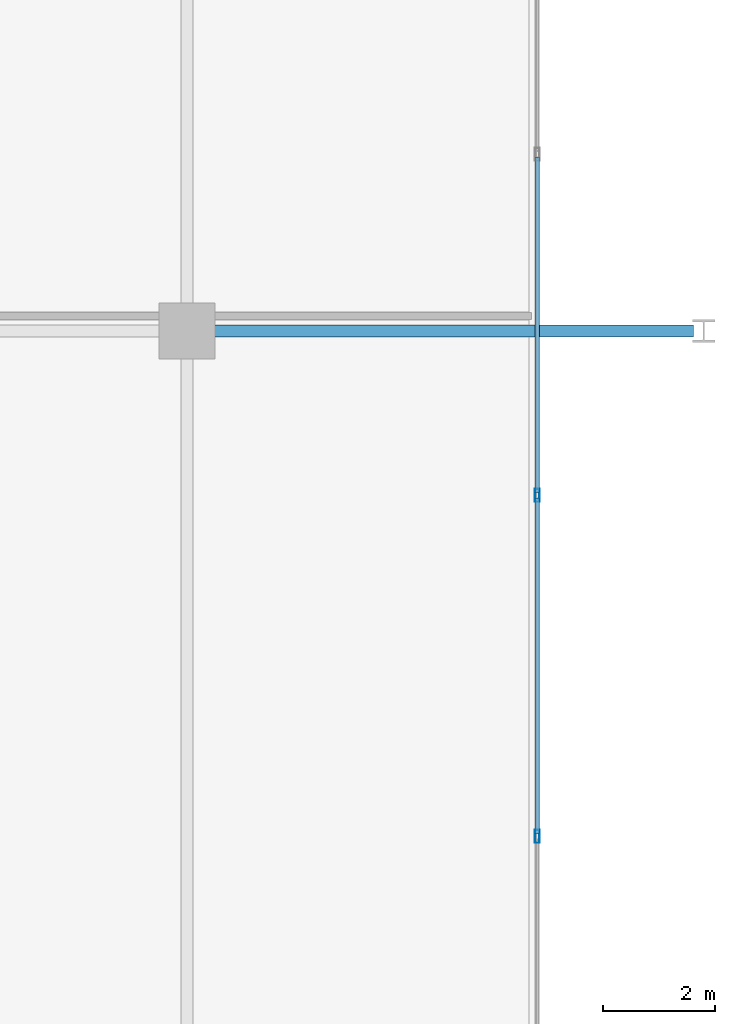
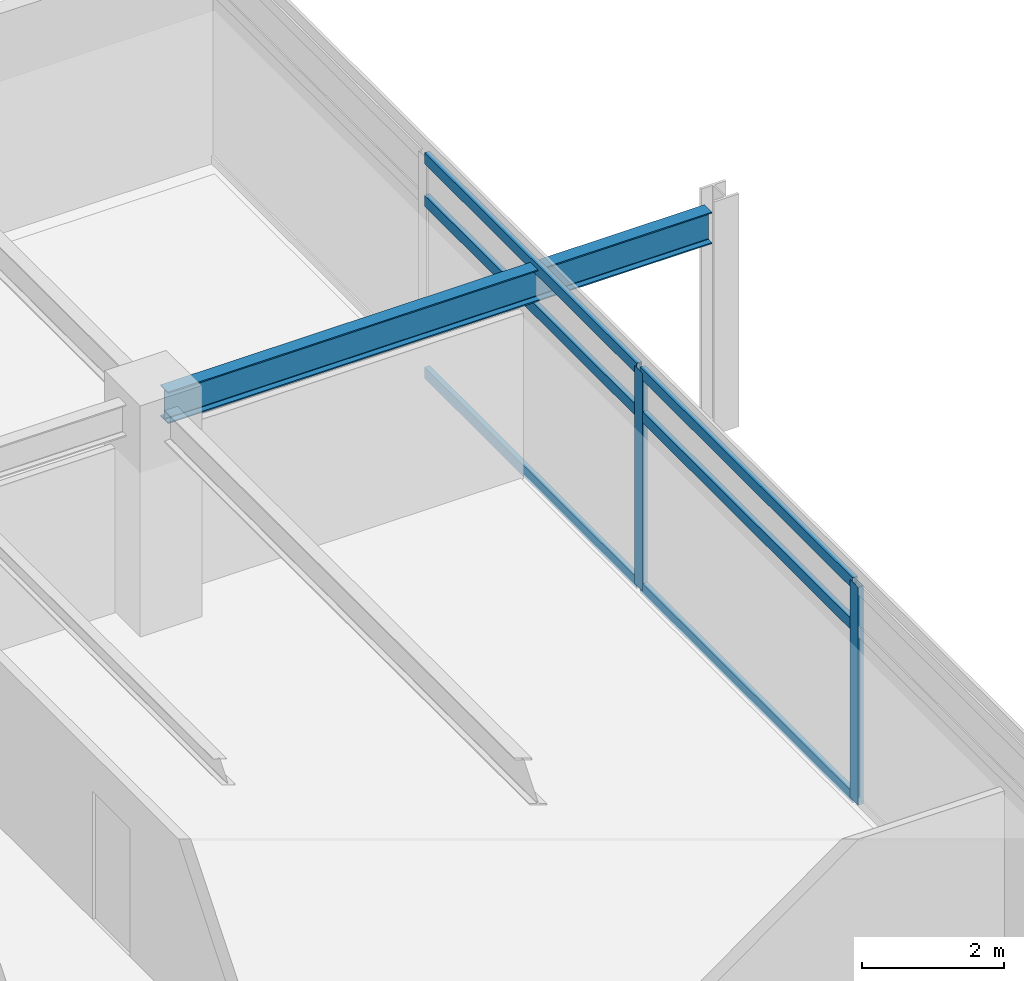
# One storey, part 9 of 20: 8 members, 1 beam, 1 element without a shape of its own.
"""IFC4 building model written with IfcOpenShell, lengths in metres."""

from ifc_helpers import new_model, si_unit, direction, frame, origin, origin_2d, place, context, subcontext, project, spatial, hollow_rectangle, i_section, extrude, material, material_profile, profile_set, type_object, element, aggregate, save


model = new_model("IFC4")

# Units and contexts
model_context = context("Model", 3, precision=1e-05, world=origin(), true_north=direction((0.0, 1.0)))
body_context = subcontext(model_context, "Body", "Model", "MODEL_VIEW")
ifc_project = project(units=[si_unit("LENGTHUNIT", "METRE"), si_unit("AREAUNIT", "SQUARE_METRE"), si_unit("VOLUMEUNIT", "CUBIC_METRE"), si_unit("PLANEANGLEUNIT", "RADIAN"), si_unit("MASSUNIT", "GRAM", prefix="KILO")], contexts=[model_context])

# Site, building, storey
site_placement = place(None, origin())
site = spatial("IfcSite", under=ifc_project, at=site_placement, CompositionType="ELEMENT")
building_placement = place(site_placement, origin())
building = spatial("IfcBuilding", under=site, at=building_placement, Name="Kovane Verandah Tower", CompositionType="ELEMENT")
storey_placement = place(building_placement, frame((0.0, 0.0, 330.800048828125)))
storey = spatial("IfcBuildingStorey", under=building, at=storey_placement, Name="L77", CompositionType="ELEMENT", Elevation=330.800048828125)

# Beam
ifc_material_1 = material(Name="Steel S355", Category="steel")
ifc_material_profile_1 = material_profile(ifc_material_1, i_section(OverallWidth=0.2119140625, OverallDepth=0.54443359375, WebThickness=0.0126953125, FlangeThickness=0.021240234375, FilletRadius=0.0126953125, at=origin_2d()), Name="UB533x210x122")
ifc_profile_set_1 = profile_set([ifc_material_profile_1], Name="Steel S355")
beam_type = type_object("IfcBeamType", Name="BM-UB533x122", PredefinedType="BEAM", material=ifc_profile_set_1)
beam_placement = place(storey_placement, frame((58.580078125, 36.5, 3.48779296875), z_axis=(1.0, 0.0, 0.0), x_axis=(0.0, 1.0, 0.0)))
element("IfcBeam", 1, at=beam_placement, inside=storey, type_object=beam_type, Name="L77 Primary Tower Girder G-VE2", PredefinedType="BEAM", context=body_context, shape_type="SweptSolid", body=[
    extrude(i_section(OverallWidth=0.2119140625, OverallDepth=0.54443359375, WebThickness=0.0126953125, FlangeThickness=0.021240234375, FilletRadius=0.0126953125, at=origin_2d()), origin(), (0.0, 0.0, 1.0), 8.83984375),
])

# Curtain wall, members
ifc_material_2 = material(Name="Champagne Anodised Aluminium Frame with Low-E Clear Laminated Glass", Category="aluminium")
curtain_wall_type = type_object("IfcCurtainWallType", Name="CW-SYS-05-HIGH", PredefinedType="NOTDEFINED", material=ifc_material_2)
curtain_wall_placement = place(storey_placement, origin())
curtain_wall = element("IfcCurtainWall", 2, at=curtain_wall_placement, inside=storey, type_object=curtain_wall_type, Name="L77 E Unitised Curtain Wall", PredefinedType="NOTDEFINED")
ifc_material_3 = material(Name="Champagne Anodised Aluminium 6063-T6", Category="aluminium")
ifc_material_profile_2 = material_profile(ifc_material_3, hollow_rectangle(XDim=0.0849609375, YDim=0.22998046875, WallThickness=0.00390625, at=origin_2d()), Name="AL85x230x4")
ifc_profile_set_2 = profile_set([ifc_material_profile_2], Name="Champagne Anodised Aluminium 6063-T6")
member_type_1 = type_object("IfcMemberType", Name="CW-MUL-85x230", PredefinedType="MULLION", material=ifc_profile_set_2)
member_1_placement = place(storey_placement, frame((64.636474609375, 27.5, 0.02001953125), z_axis=(0.0, 0.0, 1.0), x_axis=(1.0, 0.0, 0.0)))
member_1 = element("IfcMember", 3, at=member_1_placement, type_object=member_type_1, Name="L77 E Unitised Curtain Wall Mullion 4", PredefinedType="MULLION", context=body_context, shape_type="SweptSolid", body=[
    extrude(hollow_rectangle(XDim=0.0849609375, YDim=0.22998046875, WallThickness=0.00390625, at=origin_2d()), origin(), (0.0, 0.0, 1.0), 3.744873046875),
])
member_2_placement = place(storey_placement, frame((64.636474609375, 33.57275390625, 0.02001953125), z_axis=(0.0, 0.0, 1.0), x_axis=(1.0, 0.0, 0.0)))
member_2 = element("IfcMember", 4, at=member_2_placement, type_object=member_type_1, Name="L77 E Unitised Curtain Wall Mullion 5", PredefinedType="MULLION", context=body_context, shape_type="SweptSolid", body=[
    extrude(hollow_rectangle(XDim=0.0849609375, YDim=0.22998046875, WallThickness=0.00390625, at=origin_2d()), origin(), (0.0, 0.0, 1.0), 3.744873046875),
])
ifc_material_profile_3 = material_profile(ifc_material_3, hollow_rectangle(XDim=0.0849609375, YDim=0.18994140625, WallThickness=0.00390625, at=origin_2d()), Name="AL85x190x4")
ifc_profile_set_3 = profile_set([ifc_material_profile_3], Name="Champagne Anodised Aluminium 6063-T6")
member_type_2 = type_object("IfcMemberType", Name="CW-TRN-85x190", PredefinedType="USERDEFINED", material=ifc_profile_set_3)
member_3_placement = place(storey_placement, frame((64.636474609375, 27.550048828125, 0.050048828125), z_axis=(0.0, 1.0, 0.0), x_axis=(-1.0, 0.0, 0.0)))
member_3 = element("IfcMember", 5, at=member_3_placement, type_object=member_type_2, Name="L77 E Unitised Curtain Wall Transom TB Bay 4", ObjectType="TRANSOM", PredefinedType="USERDEFINED", context=body_context, shape_type="SweptSolid", body=[
    extrude(hollow_rectangle(XDim=0.0849609375, YDim=0.18994140625, WallThickness=0.00390625, at=origin_2d()), origin(), (0.0, 0.0, 1.0), 5.97265625),
])
member_4_placement = place(storey_placement, frame((64.636474609375, 27.550048828125, 3.0048828125), z_axis=(0.0, 1.0, 0.0), x_axis=(-1.0, 0.0, 0.0)))
member_4 = element("IfcMember", 6, at=member_4_placement, type_object=member_type_2, Name="L77 E Unitised Curtain Wall Transom TM Bay 4", ObjectType="TRANSOM", PredefinedType="USERDEFINED", context=body_context, shape_type="SweptSolid", body=[
    extrude(hollow_rectangle(XDim=0.0849609375, YDim=0.18994140625, WallThickness=0.00390625, at=origin_2d()), origin(), (0.0, 0.0, 1.0), 5.97265625),
])
member_5_placement = place(storey_placement, frame((64.636474609375, 27.550048828125, 3.73486328125), z_axis=(0.0, 1.0, 0.0), x_axis=(-1.0, 0.0, 0.0)))
member_5 = element("IfcMember", 7, at=member_5_placement, type_object=member_type_2, Name="L77 E Unitised Curtain Wall Transom TT Bay 4", ObjectType="TRANSOM", PredefinedType="USERDEFINED", context=body_context, shape_type="SweptSolid", body=[
    extrude(hollow_rectangle(XDim=0.0849609375, YDim=0.18994140625, WallThickness=0.00390625, at=origin_2d()), origin(), (0.0, 0.0, 1.0), 5.97265625),
])
member_6_placement = place(storey_placement, frame((64.636474609375, 33.622802734375, 0.050048828125), z_axis=(0.0, 1.0, 0.0), x_axis=(-1.0, 0.0, 0.0)))
member_6 = element("IfcMember", 8, at=member_6_placement, type_object=member_type_2, Name="L77 E Unitised Curtain Wall Transom TB Bay 5", ObjectType="TRANSOM", PredefinedType="USERDEFINED", context=body_context, shape_type="SweptSolid", body=[
    extrude(hollow_rectangle(XDim=0.0849609375, YDim=0.18994140625, WallThickness=0.00390625, at=origin_2d()), origin(), (0.0, 0.0, 1.0), 5.97265625),
])
member_7_placement = place(storey_placement, frame((64.636474609375, 33.622802734375, 3.0048828125), z_axis=(0.0, 1.0, 0.0), x_axis=(-1.0, 0.0, 0.0)))
member_7 = element("IfcMember", 9, at=member_7_placement, type_object=member_type_2, Name="L77 E Unitised Curtain Wall Transom TM Bay 5", ObjectType="TRANSOM", PredefinedType="USERDEFINED", context=body_context, shape_type="SweptSolid", body=[
    extrude(hollow_rectangle(XDim=0.0849609375, YDim=0.18994140625, WallThickness=0.00390625, at=origin_2d()), origin(), (0.0, 0.0, 1.0), 5.97265625),
])
member_8_placement = place(storey_placement, frame((64.636474609375, 33.622802734375, 3.73486328125), z_axis=(0.0, 1.0, 0.0), x_axis=(-1.0, 0.0, 0.0)))
member_8 = element("IfcMember", 10, at=member_8_placement, type_object=member_type_2, Name="L77 E Unitised Curtain Wall Transom TT Bay 5", ObjectType="TRANSOM", PredefinedType="USERDEFINED", context=body_context, shape_type="SweptSolid", body=[
    extrude(hollow_rectangle(XDim=0.0849609375, YDim=0.18994140625, WallThickness=0.00390625, at=origin_2d()), origin(), (0.0, 0.0, 1.0), 5.97265625),
])
aggregate(curtain_wall, [member_1, member_2, member_3, member_4, member_5, member_6, member_7, member_8])

save(model, "model.ifc")
